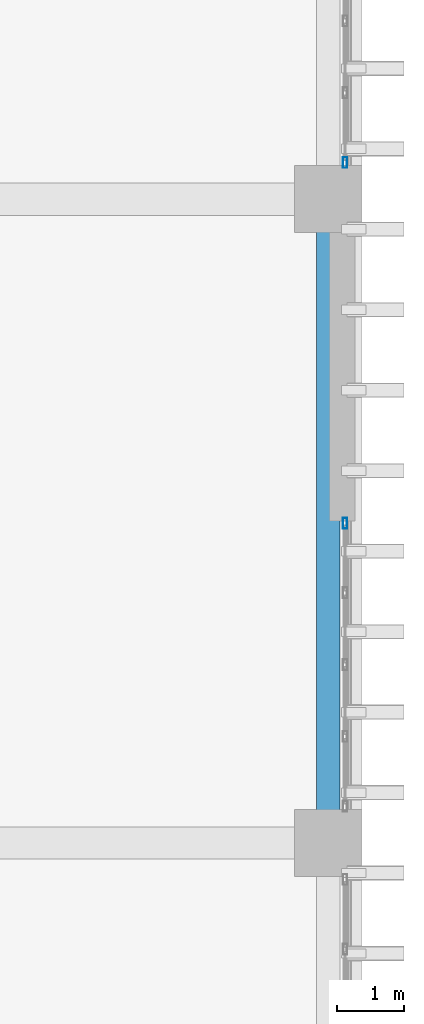
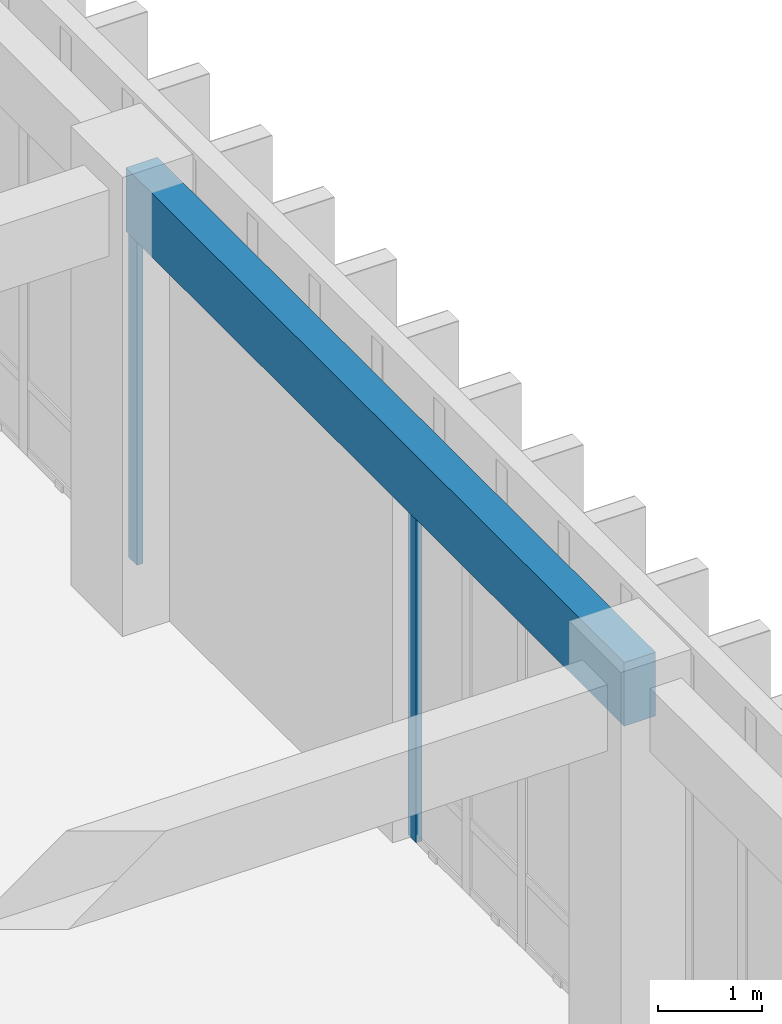
# One storey, part 63 of 134: 2 members, 1 beam, 2 elements without a shape of their own.
"""IFC4 building model written with IfcOpenShell, lengths in metres."""

from ifc_helpers import new_model, si_unit, direction, frame, origin, origin_2d, place, context, subcontext, project, spatial, rectangle, hollow_rectangle, extrude, material, layer, layer_set, material_profile, profile_set, type_object, element, aggregate, save


model = new_model("IFC4")

# Units and contexts
model_context = context("Model", 3, precision=1e-05, world=origin(), true_north=direction((0.0, 1.0)))
body_context = subcontext(model_context, "Body", "Model", "MODEL_VIEW")
ifc_project = project(units=[si_unit("LENGTHUNIT", "METRE"), si_unit("AREAUNIT", "SQUARE_METRE"), si_unit("VOLUMEUNIT", "CUBIC_METRE"), si_unit("PLANEANGLEUNIT", "RADIAN"), si_unit("MASSUNIT", "GRAM", prefix="KILO")], contexts=[model_context])

# Site, building, storey
site_placement = place(None, origin())
site = spatial("IfcSite", under=ifc_project, at=site_placement, CompositionType="ELEMENT")
building_placement = place(site_placement, origin())
building = spatial("IfcBuilding", under=site, at=building_placement, Name="Nakhvara Creek Congress Hotel", CompositionType="ELEMENT")
storey_placement = place(building_placement, frame((0.0, 0.0, 6.0)))
storey = spatial("IfcBuildingStorey", under=building, at=storey_placement, Name="L01", CompositionType="ELEMENT", Elevation=6.0)

# Beam
ifc_material_1 = material(Name="Concrete C40/50", Category="concrete")
ifc_material_profile_1 = material_profile(ifc_material_1, rectangle(XDim=0.35009765625, YDim=0.75, at=origin_2d()), Name="RC-SPANDREL 350x750", Category="LoadBearing")
ifc_profile_set_1 = profile_set([ifc_material_profile_1], Name="Concrete C40/50")
beam_type = type_object("IfcBeamType", Name="BM-SPN-350X750", PredefinedType="SPANDREL", material=ifc_profile_set_1)
beam_placement = place(storey_placement, frame((179.35009765625, 19.199951171875, 4.72509765625), z_axis=(0.0, 1.0, 0.0), x_axis=(-1.0, 0.0, 0.0)))
element("IfcBeam", 1, at=beam_placement, inside=storey, type_object=beam_type, Name="Beam SP1-L01-1351", PredefinedType="SPANDREL", context=body_context, shape_type="SweptSolid", body=[
    extrude(rectangle(XDim=0.35009765625, YDim=0.75, at=origin_2d()), origin(), (0.0, 0.0, 1.0), 9.60009765625),
])

# Curtain wall, member
ifc_material_2 = material(Name="Bronze-anodised aluminium AW-6063-T6 and double-silver low-E glass", Category="aluminium")
ifc_layer = layer(ifc_material_2, 0.199951171875)
ifc_layer_set = layer_set([ifc_layer], Name="Bronze-anodised aluminium AW-6063-T6 and double-silver low-E glass")
curtain_wall_type = type_object("IfcCurtainWallType", Name="CW-HTL-UNIT", PredefinedType="USERDEFINED", material=ifc_layer_set)
curtain_wall_1_placement = place(storey_placement, origin())
curtain_wall_1 = element("IfcCurtainWall", 2, at=curtain_wall_1_placement, inside=storey, type_object=curtain_wall_type, Name="Curtain Wall CW109", ObjectType="UNITISED", PredefinedType="USERDEFINED")
ifc_material_3 = material(Name="Bronze-anodised aluminium AW-6063-T6", Category="aluminium")
ifc_material_profile_2 = material_profile(ifc_material_3, hollow_rectangle(XDim=0.06494140625, YDim=0.159912109375, WallThickness=0.00390625, at=origin_2d()), Name="ALU-MULL 65x160x4", Category="LoadBearing")
ifc_profile_set_2 = profile_set([ifc_material_profile_2], Name="Bronze-anodised aluminium AW-6063-T6")
member_type = type_object("IfcMemberType", Name="CW-MULL-160", PredefinedType="MULLION", material=ifc_profile_set_2)
member_1_placement = place(storey_placement, frame((179.60009765625, 23.967529296875, 0.0), z_axis=(0.0, 0.0, 1.0), x_axis=(1.0, 0.0, 0.0)))
member_1 = element("IfcMember", 3, at=member_1_placement, type_object=member_type, Name="CW109 mullion 1", PredefinedType="MULLION", context=body_context, shape_type="SweptSolid", body=[
    extrude(hollow_rectangle(XDim=0.06494140625, YDim=0.159912109375, WallThickness=0.00390625, at=origin_2d()), origin(), (0.0, 0.0, 1.0), 4.342041015625),
])
aggregate(curtain_wall_1, [member_1])

curtain_wall_2_placement = place(storey_placement, origin())
curtain_wall_2 = element("IfcCurtainWall", 4, at=curtain_wall_2_placement, inside=storey, type_object=curtain_wall_type, Name="Curtain Wall CW110", ObjectType="UNITISED", PredefinedType="USERDEFINED")
member_2_placement = place(storey_placement, frame((179.60009765625, 29.347412109375, 0.0), z_axis=(0.0, 0.0, 1.0), x_axis=(1.0, 0.0, 0.0)))
member_2 = element("IfcMember", 5, at=member_2_placement, type_object=member_type, Name="CW110 mullion 5", PredefinedType="MULLION", context=body_context, shape_type="SweptSolid", body=[
    extrude(hollow_rectangle(XDim=0.06494140625, YDim=0.159912109375, WallThickness=0.00390625, at=origin_2d()), origin(), (0.0, 0.0, 1.0), 4.342041015625),
])
aggregate(curtain_wall_2, [member_2])

save(model, "model.ifc")
